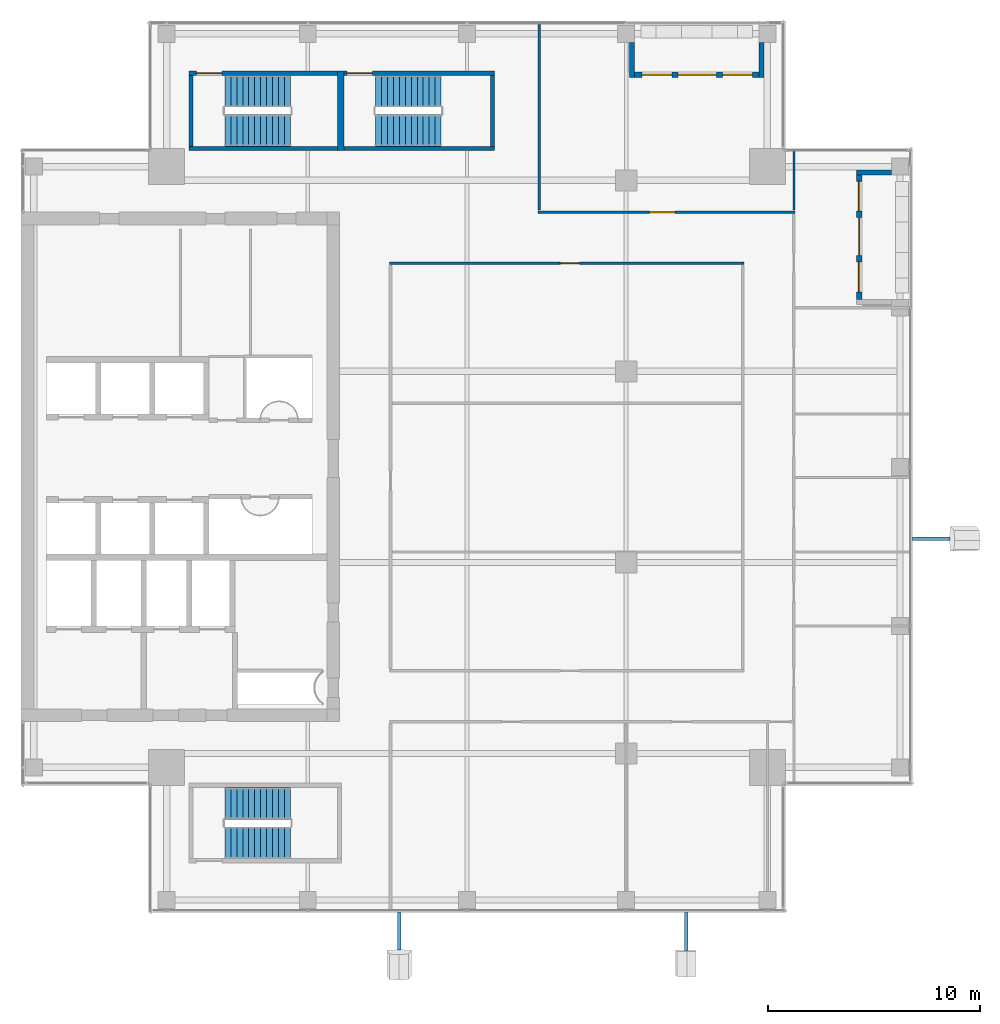
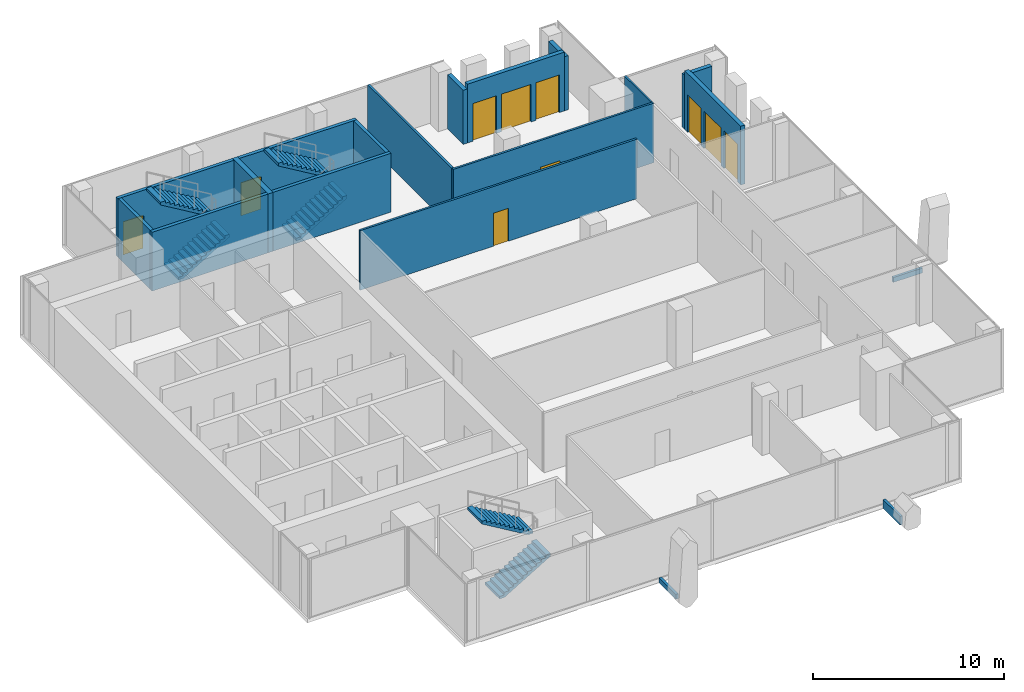
# One storey, part 25 of 28: 16 walls, 6 doors, 6 stair flights, 4 windows, 3 discrete accessories, 10 openings, 3 elements without a shape of their own.
"""IFC4 building model written with IfcOpenShell, lengths in metres."""

from ifc_helpers import new_model, si_unit, direction, frame, frame_2d, origin, origin_2d, place, context, subcontext, project, spatial, polyline, rectangle, outline, extrude, source, transform, mapped, material, layer, layer_set, type_object, element, fill, aggregate, save


model = new_model("IFC4")

# Units and contexts
model_context = context("Model", 3, precision=1e-05, world=origin(), true_north=direction((0.0, 1.0)))
body_context = subcontext(model_context, "Body", "Model", "MODEL_VIEW")
ifc_project = project(units=[si_unit("LENGTHUNIT", "METRE"), si_unit("AREAUNIT", "SQUARE_METRE"), si_unit("VOLUMEUNIT", "CUBIC_METRE"), si_unit("PLANEANGLEUNIT", "RADIAN"), si_unit("MASSUNIT", "GRAM", prefix="KILO")], contexts=[model_context])

# Site, building, storey
site_placement = place(None, origin())
site = spatial("IfcSite", under=ifc_project, at=site_placement, CompositionType="ELEMENT")
building_placement = place(site_placement, origin())
building = spatial("IfcBuilding", under=site, at=building_placement, Name="Khomas Fold Tower", CompositionType="ELEMENT")
storey_placement = place(building_placement, frame((0.0, 0.0, 298.199951171875)))
storey = spatial("IfcBuildingStorey", under=building, at=storey_placement, Name="L67", CompositionType="ELEMENT", Elevation=298.199951171875)

# Wall, opening, door
ifc_material_1 = material(Name="Concrete C50/60", Category="concrete")
ifc_layer_1 = layer(ifc_material_1, 0.199951171875)
ifc_layer_set_1 = layer_set([ifc_layer_1], Name="Concrete C50/60")
wall_type_1 = type_object("IfcWallType", Name="Stair wall 200", PredefinedType="SHEAR", material=ifc_layer_set_1)
shared_shape_1 = source(origin(), body_context, "Body", "SweptSolid", [
    extrude(rectangle(XDim=7.0, YDim=0.199951171875, at=frame_2d((3.5, 0.0))), origin(), (0.0, 0.0, 1.0), 3.75),
])
wall_1_placement = place(storey_placement, frame((13.89990234375, 45.550048828125, 0.0), z_axis=(0.0, 0.0, 1.0), x_axis=(1.0, 0.0, 0.0)))
wall_1 = element("IfcWall", 1, at=wall_1_placement, inside=storey, type_object=wall_type_1, Name="Stair wall SW-ST1-N", PredefinedType="SHEAR", context=body_context, shape_type="MappedRepresentation", body=[
    mapped(shared_shape_1, transform((0.0, 0.0, 0.0))),
])
shared_shape_2 = source(origin(), body_context, "Body", "SweptSolid", [
    extrude(rectangle(XDim=1.199951171875, YDim=2.10009765625, at=frame_2d((0.60009765625, 1.050048828125))), frame((0.0, 0.10986328125, 0.0), z_axis=(0.0, -1.0, 0.0), x_axis=(1.0, 0.0, 0.0)), (0.0, 0.0, 1.0), 0.219970703125),
])
opening_1_placement = place(wall_1_placement, frame((0.35009765625, 0.0, 0.0)))
opening_1 = element("IfcOpeningElement", 2, at=opening_1_placement, cuts=wall_1, Name="Opening SD-ST1", PredefinedType="OPENING", context=body_context, shape_type="MappedRepresentation", body=[
    mapped(shared_shape_2, transform((0.0, 0.0, 0.0))),
])
ifc_material_2 = material(Name="Steel door leaf", Category="steel")
door_type_1 = type_object("IfcDoorType", Name="Stair door 1200x2100 left-hand", OperationType="SINGLE_SWING_LEFT", PredefinedType="DOOR", material=ifc_material_2)
shared_shape_3 = source(origin(), body_context, "Body", "SweptSolid", [
    extrude(rectangle(XDim=1.199951171875, YDim=2.10009765625, at=frame_2d((0.60009765625, 1.050048828125))), frame((0.0, 0.02490234375, 0.0), z_axis=(0.0, -1.0, 0.0), x_axis=(1.0, 0.0, 0.0)), (0.0, 0.0, 1.0), 0.050048828125),
])
door_1_placement = place(opening_1_placement, origin())
door_1 = element("IfcDoor", 3, at=door_1_placement, inside=storey, type_object=door_type_1, Name="Stair door", OperationType="SINGLE_SWING_LEFT", OverallHeight=2.10009765625, OverallWidth=1.199951171875, PredefinedType="DOOR", context=body_context, shape_type="MappedRepresentation", body=[
    mapped(shared_shape_3, transform((0.0, 0.0, 0.0))),
])
fill(opening_1, door_1)

# Wall
wall_2_placement = place(storey_placement, frame((13.89990234375, 42.0, 0.0), z_axis=(0.0, 0.0, 1.0), x_axis=(1.0, 0.0, 0.0)))
element("IfcWall", 4, at=wall_2_placement, inside=storey, type_object=wall_type_1, Name="Stair wall SW-ST1-S", PredefinedType="SHEAR", context=body_context, shape_type="MappedRepresentation", body=[
    mapped(shared_shape_1, transform((0.0, 0.0, 0.0))),
])

# Wall, opening, door
shared_shape_4 = source(origin(), body_context, "Body", "SweptSolid", [
    extrude(rectangle(XDim=7.10009765625, YDim=0.199951171875, at=frame_2d((3.550048828125, 0.0))), origin(), (0.0, 0.0, 1.0), 3.75),
])
wall_3_placement = place(storey_placement, frame((21.199951171875, 45.550048828125, 0.0), z_axis=(0.0, 0.0, 1.0), x_axis=(1.0, 0.0, 0.0)))
wall_3 = element("IfcWall", 5, at=wall_3_placement, inside=storey, type_object=wall_type_1, Name="Stair wall SW-ST3-N", PredefinedType="SHEAR", context=body_context, shape_type="MappedRepresentation", body=[
    mapped(shared_shape_4, transform((0.0, 0.0, 0.0))),
])
opening_2_placement = place(wall_3_placement, frame((0.14990234375, 0.0, 0.0)))
opening_2 = element("IfcOpeningElement", 6, at=opening_2_placement, cuts=wall_3, Name="Opening SD-ST3", PredefinedType="OPENING", context=body_context, shape_type="MappedRepresentation", body=[
    mapped(shared_shape_2, transform((0.0, 0.0, 0.0))),
])
door_2_placement = place(opening_2_placement, origin())
door_2 = element("IfcDoor", 7, at=door_2_placement, inside=storey, type_object=door_type_1, Name="Stair door", OperationType="SINGLE_SWING_LEFT", OverallHeight=2.10009765625, OverallWidth=1.199951171875, PredefinedType="DOOR", context=body_context, shape_type="MappedRepresentation", body=[
    mapped(shared_shape_3, transform((0.0, 0.0, 0.0))),
])
fill(opening_2, door_2)

# Walls
wall_4_placement = place(storey_placement, frame((21.199951171875, 42.0, 0.0), z_axis=(0.0, 0.0, 1.0), x_axis=(1.0, 0.0, 0.0)))
element("IfcWall", 8, at=wall_4_placement, inside=storey, type_object=wall_type_1, Name="Stair wall SW-ST3-S", PredefinedType="SHEAR", context=body_context, shape_type="MappedRepresentation", body=[
    mapped(shared_shape_4, transform((0.0, 0.0, 0.0))),
])
ifc_material_3 = material(Name="Concrete C50/60", Category="concrete")
ifc_layer_2 = layer(ifc_material_3, 0.300048828125)
ifc_layer_set_2 = layer_set([ifc_layer_2], Name="Concrete C50/60")
wall_type_2 = type_object("IfcWallType", Name="Stair wall 300", PredefinedType="SHEAR", material=ifc_layer_set_2)
shared_shape_5 = source(origin(), body_context, "Body", "SweptSolid", [
    extrude(rectangle(XDim=3.75, YDim=0.300048828125, at=frame_2d((1.875, 0.0))), origin(), (0.0, 0.0, 1.0), 3.75),
])
wall_5_placement = place(storey_placement, frame((21.050048828125, 41.89990234375, 0.0), z_axis=(0.0, 0.0, 1.0), x_axis=(0.0, 1.0, 0.0)))
element("IfcWall", 9, at=wall_5_placement, inside=storey, type_object=wall_type_2, Name="Stair wall SW-ST1-E", PredefinedType="SHEAR", context=body_context, shape_type="MappedRepresentation", body=[
    mapped(shared_shape_5, transform((0.0, 0.0, 0.0))),
])
shared_shape_6 = source(origin(), body_context, "Body", "SweptSolid", [
    extrude(rectangle(XDim=3.349853515625, YDim=0.199951171875, at=frame_2d((1.6748046875, 0.0))), origin(), (0.0, 0.0, 1.0), 3.75),
])
for number, where, z_axis, x_axis, name in (
    (10, (14.0, 42.10009765625, 0.0), (0.0, 0.0, 1.0), (0.0, 1.0, 0.0), "Stair wall SW-ST1-W"),
    (11, (28.199951171875, 42.10009765625, 0.0), (0.0, 0.0, 1.0), (0.0, 1.0, 0.0), "Stair wall SW-ST3-E"),
):
    element("IfcWall", number, at=place(storey_placement, frame(where, z_axis=z_axis, x_axis=x_axis)), inside=storey, type_object=wall_type_1, Name=name, PredefinedType="SHEAR", context=body_context, shape_type="MappedRepresentation", body=[
        mapped(shared_shape_6, transform((0.0, 0.0, 0.0))),
    ])

# Wall, openings, door, windows
ifc_material_4 = material(Name="Natural stone", Category="masonry")
ifc_layer_3 = layer(ifc_material_4, 0.0400390625)
ifc_material_5 = material(Name="Mineral wool insulation", Category="insulation")
ifc_layer_4 = layer(ifc_material_5, 0.10009765625)
ifc_material_6 = material(Name="Masonry", Category="masonry")
ifc_layer_5 = layer(ifc_material_6, 0.110107421875)
ifc_layer_set_3 = layer_set([ifc_layer_3, ifc_layer_4, ifc_layer_5], Name="Stone-faced insulated masonry")
wall_type_3 = type_object("IfcWallType", Name="BL-Balcony wall", PredefinedType="SOLIDWALL", material=ifc_layer_set_3)
shared_shape_7 = source(origin(), body_context, "Body", "SweptSolid", [
    extrude(rectangle(XDim=5.85009765625, YDim=0.25, at=frame_2d((2.925048828125, 0.0))), origin(), (0.0, 0.0, 1.0), 3.75),
])
wall_6_placement = place(storey_placement, frame((34.89990234375, 45.47509765625, 0.0), z_axis=(0.0, 0.0, 1.0), x_axis=(1.0, 0.0, 0.0)))
wall_6 = element("IfcWall", 12, at=wall_6_placement, inside=storey, type_object=wall_type_3, Name="Balcony wall BAL-L67-N4", PredefinedType="SOLIDWALL", context=body_context, shape_type="MappedRepresentation", body=[
    mapped(shared_shape_7, transform((0.0, 0.0, 0.0))),
])
shared_shape_8 = source(origin(), body_context, "Body", "SweptSolid", [
    extrude(rectangle(XDim=1.39990234375, YDim=2.39990234375, at=frame_2d((0.699951171875, 1.199951171875))), frame((0.0, 0.135009765625, 0.0), z_axis=(0.0, -1.0, 0.0), x_axis=(1.0, 0.0, 0.0)), (0.0, 0.0, 1.0), 0.27001953125),
])
opening_3_placement = place(wall_6_placement, frame((0.35009765625, 0.0, 0.0)))
opening_3 = element("IfcOpeningElement", 13, at=opening_3_placement, cuts=wall_6, Name="Opening BL-W6", PredefinedType="OPENING", context=body_context, shape_type="MappedRepresentation", body=[
    mapped(shared_shape_8, transform((0.0, 0.0, 0.0))),
])
opening_4_placement = place(wall_6_placement, frame((4.14990234375, 0.0, 0.0)))
opening_4 = element("IfcOpeningElement", 14, at=opening_4_placement, cuts=wall_6, Name="Opening BL-W6", PredefinedType="OPENING", context=body_context, shape_type="MappedRepresentation", body=[
    mapped(shared_shape_8, transform((0.0, 0.0, 0.0))),
])
shared_shape_9 = source(origin(), body_context, "Body", "SweptSolid", [
    extrude(rectangle(XDim=1.800048828125, YDim=2.39990234375, at=frame_2d((0.89990234375, 1.199951171875))), frame((0.0, 0.135009765625, 0.0), z_axis=(0.0, -1.0, 0.0), x_axis=(1.0, 0.0, 0.0)), (0.0, 0.0, 1.0), 0.27001953125),
])
opening_5_placement = place(wall_6_placement, frame((2.050048828125, 0.0, 0.0)))
opening_5 = element("IfcOpeningElement", 15, at=opening_5_placement, cuts=wall_6, Name="Opening BD671", PredefinedType="OPENING", context=body_context, shape_type="MappedRepresentation", body=[
    mapped(shared_shape_9, transform((0.0, 0.0, 0.0))),
])
ifc_material_7 = material(Name="Aluminium framed double glazing", Category="aluminium")
door_type_2 = type_object("IfcDoorType", Name="BL-Glazed balcony door 1800 x 2400", OperationType="DOUBLE_DOOR_DOUBLE_SWING", PredefinedType="DOOR", material=ifc_material_7)
shared_shape_10 = source(origin(), body_context, "Body", "SweptSolid", [
    extrude(rectangle(XDim=1.800048828125, YDim=2.39990234375, at=frame_2d((0.89990234375, 1.199951171875))), frame((0.0, 0.02490234375, 0.0), z_axis=(0.0, -1.0, 0.0), x_axis=(1.0, 0.0, 0.0)), (0.0, 0.0, 1.0), 0.050048828125),
])
door_3_placement = place(opening_5_placement, origin())
door_3 = element("IfcDoor", 16, at=door_3_placement, inside=storey, type_object=door_type_2, Name="Balcony door BD671", OperationType="DOUBLE_DOOR_DOUBLE_SWING", OverallHeight=2.39990234375, OverallWidth=1.800048828125, PredefinedType="DOOR", context=body_context, shape_type="MappedRepresentation", body=[
    mapped(shared_shape_10, transform((0.0, 0.0, 0.0))),
])
fill(opening_5, door_3)
ifc_material_8 = material(Name="Aluminium framed double glazing", Category="aluminium")
window_type = type_object("IfcWindowType", Name="BL-Fixed glazing 1400 x 2400", PartitioningType="SINGLE_PANEL", PredefinedType="WINDOW", material=ifc_material_8)
shared_shape_11 = source(origin(), body_context, "Body", "SweptSolid", [
    extrude(rectangle(XDim=1.39990234375, YDim=2.39990234375, at=frame_2d((0.699951171875, 1.199951171875))), frame((0.0, 0.030029296875, 0.0), z_axis=(0.0, -1.0, 0.0), x_axis=(1.0, 0.0, 0.0)), (0.0, 0.0, 1.0), 0.06005859375),
])
window_1_placement = place(opening_3_placement, origin())
window_1 = element("IfcWindow", 17, at=window_1_placement, inside=storey, type_object=window_type, Name="Balcony glazing BAL-L67-N4-1", OverallHeight=2.39990234375, OverallWidth=1.39990234375, PartitioningType="SINGLE_PANEL", PredefinedType="WINDOW", context=body_context, shape_type="MappedRepresentation", body=[
    mapped(shared_shape_11, transform((0.0, 0.0, 0.0))),
])
fill(opening_3, window_1)
window_2_placement = place(opening_4_placement, origin())
window_2 = element("IfcWindow", 18, at=window_2_placement, inside=storey, type_object=window_type, Name="Balcony glazing BAL-L67-N4-2", OverallHeight=2.39990234375, OverallWidth=1.39990234375, PartitioningType="SINGLE_PANEL", PredefinedType="WINDOW", context=body_context, shape_type="MappedRepresentation", body=[
    mapped(shared_shape_11, transform((0.0, 0.0, 0.0))),
])
fill(opening_4, window_2)

wall_7_placement = place(storey_placement, frame((45.47509765625, 34.89990234375, 0.0), z_axis=(0.0, 0.0, 1.0), x_axis=(0.0, 1.0, 0.0)))
wall_7 = element("IfcWall", 19, at=wall_7_placement, inside=storey, type_object=wall_type_3, Name="Balcony wall BAL-L67-E4", PredefinedType="SOLIDWALL", context=body_context, shape_type="MappedRepresentation", body=[
    mapped(shared_shape_7, transform((0.0, 0.0, 0.0))),
])
opening_6_placement = place(wall_7_placement, frame((0.35009765625, 0.0, 0.0)))
opening_6 = element("IfcOpeningElement", 20, at=opening_6_placement, cuts=wall_7, Name="Opening BL-W6", PredefinedType="OPENING", context=body_context, shape_type="MappedRepresentation", body=[
    mapped(shared_shape_8, transform((0.0, 0.0, 0.0))),
])
opening_7_placement = place(wall_7_placement, frame((4.14990234375, 0.0, 0.0)))
opening_7 = element("IfcOpeningElement", 21, at=opening_7_placement, cuts=wall_7, Name="Opening BL-W6", PredefinedType="OPENING", context=body_context, shape_type="MappedRepresentation", body=[
    mapped(shared_shape_8, transform((0.0, 0.0, 0.0))),
])
opening_8_placement = place(wall_7_placement, frame((2.050048828125, 0.0, 0.0)))
opening_8 = element("IfcOpeningElement", 22, at=opening_8_placement, cuts=wall_7, Name="Opening BD672", PredefinedType="OPENING", context=body_context, shape_type="MappedRepresentation", body=[
    mapped(shared_shape_9, transform((0.0, 0.0, 0.0))),
])
door_4_placement = place(opening_8_placement, origin())
door_4 = element("IfcDoor", 23, at=door_4_placement, inside=storey, type_object=door_type_2, Name="Balcony door BD672", OperationType="DOUBLE_DOOR_DOUBLE_SWING", OverallHeight=2.39990234375, OverallWidth=1.800048828125, PredefinedType="DOOR", context=body_context, shape_type="MappedRepresentation", body=[
    mapped(shared_shape_10, transform((0.0, 0.0, 0.0))),
])
fill(opening_8, door_4)
window_3_placement = place(opening_6_placement, origin())
window_3 = element("IfcWindow", 24, at=window_3_placement, inside=storey, type_object=window_type, Name="Balcony glazing BAL-L67-E4-1", OverallHeight=2.39990234375, OverallWidth=1.39990234375, PartitioningType="SINGLE_PANEL", PredefinedType="WINDOW", context=body_context, shape_type="MappedRepresentation", body=[
    mapped(shared_shape_11, transform((0.0, 0.0, 0.0))),
])
fill(opening_6, window_3)
window_4_placement = place(opening_7_placement, origin())
window_4 = element("IfcWindow", 25, at=window_4_placement, inside=storey, type_object=window_type, Name="Balcony glazing BAL-L67-E4-2", OverallHeight=2.39990234375, OverallWidth=1.39990234375, PartitioningType="SINGLE_PANEL", PredefinedType="WINDOW", context=body_context, shape_type="MappedRepresentation", body=[
    mapped(shared_shape_11, transform((0.0, 0.0, 0.0))),
])
fill(opening_7, window_4)

# Walls
shared_shape_12 = source(origin(), body_context, "Body", "SweptSolid", [
    extrude(rectangle(XDim=1.64990234375, YDim=0.25, at=frame_2d((0.824951171875, 0.0))), origin(), (0.0, 0.0, 1.0), 3.449951171875),
])
for number, where, z_axis, x_axis, name in (
    (26, (34.77490234375, 47.0, 0.0), (0.0, 0.0, 1.0), (0.0, -1.0, 0.0), "Balcony return wall BAL-L67-N4-lo"),
    (27, (40.875, 47.0, 0.0), (0.0, 0.0, 1.0), (0.0, -1.0, 0.0), "Balcony return wall BAL-L67-N4-hi"),
    (28, (47.0, 40.875, 0.0), (0.0, 0.0, 1.0), (-1.0, 0.0, 0.0), "Balcony return wall BAL-L67-E4-hi"),
):
    element("IfcWall", number, at=place(storey_placement, frame(where, z_axis=z_axis, x_axis=x_axis)), inside=storey, type_object=wall_type_3, Name=name, PredefinedType="SOLIDWALL", context=body_context, shape_type="MappedRepresentation", body=[
        mapped(shared_shape_12, transform((0.0, 0.0, 0.0))),
    ])
ifc_material_9 = material(Name="Plasterboard partition")
ifc_layer_6 = layer(ifc_material_9, 0.125)
ifc_layer_set_4 = layer_set([ifc_layer_6], Name="Plasterboard partition")
wall_type_4 = type_object("IfcWallType", Name="Partition PW2 125", PredefinedType="PARTITIONING", material=ifc_layer_set_4)
shared_shape_13 = source(origin(), body_context, "Body", "SweptSolid", [
    extrude(rectangle(XDim=8.75, YDim=0.125, at=frame_2d((4.375, 0.0))), origin(), (0.0, 0.0, 1.0), 3.800048828125),
])
wall_8_placement = place(storey_placement, frame((30.39990234375, 39.10009765625, 0.0), z_axis=(0.0, 0.0, 1.0), x_axis=(0.0, 1.0, 0.0)))
element("IfcWall", 29, at=wall_8_placement, inside=storey, type_object=wall_type_4, Name="Partition", PredefinedType="PARTITIONING", context=body_context, shape_type="MappedRepresentation", body=[
    mapped(shared_shape_13, transform((0.0, 0.0, 0.0))),
])
ifc_material_10 = material(Name="Plasterboard partition")
ifc_layer_7 = layer(ifc_material_10, 0.10009765625)
ifc_layer_set_5 = layer_set([ifc_layer_7], Name="Plasterboard partition")
wall_type_5 = type_object("IfcWallType", Name="Partition PW1 100", PredefinedType="PARTITIONING", material=ifc_layer_set_5)
shared_shape_14 = source(origin(), body_context, "Body", "SweptSolid", [
    extrude(rectangle(XDim=2.75, YDim=0.10009765625, at=frame_2d((1.375, 0.0))), origin(), (0.0, 0.0, 1.0), 3.800048828125),
])
wall_9_placement = place(storey_placement, frame((42.39990234375, 39.10009765625, 0.0), z_axis=(0.0, 0.0, 1.0), x_axis=(0.0, 1.0, 0.0)))
element("IfcWall", 30, at=wall_9_placement, inside=storey, type_object=wall_type_5, Name="Partition", PredefinedType="PARTITIONING", context=body_context, shape_type="MappedRepresentation", body=[
    mapped(shared_shape_14, transform((0.0, 0.0, 0.0))),
])

# Wall, opening, door
shared_shape_15 = source(origin(), body_context, "Body", "SweptSolid", [
    extrude(rectangle(XDim=16.699951171875, YDim=0.125, at=frame_2d((8.35009765625, 0.0))), origin(), (0.0, 0.0, 1.0), 3.800048828125),
])
wall_10_placement = place(storey_placement, frame((23.35009765625, 36.60009765625, 0.0), z_axis=(0.0, 0.0, 1.0), x_axis=(1.0, 0.0, 0.0)))
wall_10 = element("IfcWall", 31, at=wall_10_placement, inside=storey, type_object=wall_type_4, Name="Partition", PredefinedType="PARTITIONING", context=body_context, shape_type="MappedRepresentation", body=[
    mapped(shared_shape_15, transform((0.0, 0.0, 0.0))),
])
shared_shape_16 = source(origin(), body_context, "Body", "SweptSolid", [
    extrude(rectangle(XDim=0.89990234375, YDim=2.10009765625, at=frame_2d((0.449951171875, 1.050048828125))), frame((0.0, 0.072509765625, 0.0), z_axis=(0.0, -1.0, 0.0), x_axis=(1.0, 0.0, 0.0)), (0.0, 0.0, 1.0), 0.14501953125),
])
opening_9_placement = place(wall_10_placement, frame((8.050048828125, 0.0, 0.0)))
opening_9 = element("IfcOpeningElement", 32, at=opening_9_placement, cuts=wall_10, Name="Opening 0008", PredefinedType="OPENING", context=body_context, shape_type="MappedRepresentation", body=[
    mapped(shared_shape_16, transform((0.0, 0.0, 0.0))),
])
ifc_material_11 = material(Name="Timber door leaf", Category="wood")
door_type_3 = type_object("IfcDoorType", Name="Door 900x2100 right-hand", OperationType="SINGLE_SWING_RIGHT", PredefinedType="DOOR", material=ifc_material_11)
shared_shape_17 = source(origin(), body_context, "Body", "SweptSolid", [
    extrude(rectangle(XDim=0.89990234375, YDim=2.10009765625, at=frame_2d((0.449951171875, 1.050048828125))), frame((0.0, 0.02490234375, 0.0), z_axis=(0.0, -1.0, 0.0), x_axis=(1.0, 0.0, 0.0)), (0.0, 0.0, 1.0), 0.050048828125),
])
door_5_placement = place(opening_9_placement, origin())
door_5 = element("IfcDoor", 33, at=door_5_placement, inside=storey, type_object=door_type_3, Name="Door", OperationType="SINGLE_SWING_RIGHT", OverallHeight=2.10009765625, OverallWidth=0.89990234375, PredefinedType="DOOR", context=body_context, shape_type="MappedRepresentation", body=[
    mapped(shared_shape_17, transform((0.0, 0.0, 0.0))),
])
fill(opening_9, door_5)

shared_shape_18 = source(origin(), body_context, "Body", "SweptSolid", [
    extrude(rectangle(XDim=12.099853515625, YDim=0.125, at=frame_2d((6.0498046875, 0.0))), origin(), (0.0, 0.0, 1.0), 3.800048828125),
])
wall_11_placement = place(storey_placement, frame((30.35009765625, 39.0, 0.0), z_axis=(0.0, 0.0, 1.0), x_axis=(1.0, 0.0, 0.0)))
wall_11 = element("IfcWall", 34, at=wall_11_placement, inside=storey, type_object=wall_type_4, Name="Partition", PredefinedType="PARTITIONING", context=body_context, shape_type="MappedRepresentation", body=[
    mapped(shared_shape_18, transform((0.0, 0.0, 0.0))),
])
shared_shape_19 = source(origin(), body_context, "Body", "SweptSolid", [
    extrude(rectangle(XDim=1.199951171875, YDim=2.10009765625, at=frame_2d((0.60009765625, 1.050048828125))), frame((0.0, 0.072509765625, 0.0), z_axis=(0.0, -1.0, 0.0), x_axis=(1.0, 0.0, 0.0)), (0.0, 0.0, 1.0), 0.14501953125),
])
opening_10_placement = place(wall_11_placement, frame((5.25, 0.0, 0.0)))
opening_10 = element("IfcOpeningElement", 35, at=opening_10_placement, cuts=wall_11, Name="Opening 0013", PredefinedType="OPENING", context=body_context, shape_type="MappedRepresentation", body=[
    mapped(shared_shape_19, transform((0.0, 0.0, 0.0))),
])
ifc_material_12 = material(Name="Timber door leaf", Category="wood")
door_type_4 = type_object("IfcDoorType", Name="Door 1200x2100 left-hand", OperationType="SINGLE_SWING_LEFT", PredefinedType="DOOR", material=ifc_material_12)
door_6_placement = place(opening_10_placement, origin())
door_6 = element("IfcDoor", 36, at=door_6_placement, inside=storey, type_object=door_type_4, Name="Door", OperationType="SINGLE_SWING_LEFT", OverallHeight=2.10009765625, OverallWidth=1.199951171875, PredefinedType="DOOR", context=body_context, shape_type="MappedRepresentation", body=[
    mapped(shared_shape_3, transform((0.0, 0.0, 0.0))),
])
fill(opening_10, door_6)

# Stair, stair flights
ifc_material_13 = material(Name="Concrete C40/50", Category="concrete")
stair_type_1 = type_object("IfcStairType", Name="Stair ST1", PredefinedType="HALF_TURN_STAIR", material=ifc_material_13)
stair_1_placement = place(storey_placement, origin())
stair_1 = element("IfcStair", 37, at=stair_1_placement, inside=storey, type_object=stair_type_1, Name="L67 ST1", PredefinedType="HALF_TURN_STAIR")
ifc_material_14 = material(Name="Concrete C40/50", Category="concrete")
stair_flight_type_1 = type_object("IfcStairFlightType", Name="Stair flight 1500 ST1", PredefinedType="STRAIGHT", material=ifc_material_14)
shared_shape_20 = source(origin(), body_context, "Body", "SweptSolid", [
    extrude(outline(polyline([(0.0, 0.0), (0.0, 0.012939453125), (0.0, 0.025634765625), (0.0, 0.03857421875), (0.0, 0.05126953125), (0.0, 0.064208984375), (0.0, 0.076904296875), (0.0, 0.08984375), (0.0, 0.1025390625), (0.0, 0.115478515625), (0.0, 0.128173828125), (0.0, 0.14111328125), (0.0, 0.15380859375), (0.0, 0.166748046875), (0.280029296875, 0.166748046875), (0.280029296875, 0.333251953125), (0.56005859375, 0.333251953125), (0.56005859375, 0.5), (0.840087890625, 0.5), (0.840087890625, 0.666748046875), (1.1201171875, 0.666748046875), (1.1201171875, 0.833251953125), (1.39990234375, 0.833251953125), (1.39990234375, 1.0), (1.679931640625, 1.0), (1.679931640625, 1.166748046875), (1.9599609375, 1.166748046875), (1.9599609375, 1.333251953125), (2.239990234375, 1.333251953125), (2.239990234375, 1.5), (2.52001953125, 1.5), (2.52001953125, 1.666748046875), (2.800048828125, 1.666748046875), (2.800048828125, 1.833251953125), (3.080078125, 1.833251953125), (3.080078125, 2.0), (3.080078125, 1.973876953125), (3.080078125, 1.947509765625), (3.080078125, 1.92138671875), (3.080078125, 1.89501953125), (3.080078125, 1.868896484375), (3.080078125, 1.842529296875), (3.080078125, 1.81640625), (3.080078125, 1.7900390625), (3.080078125, 1.763916015625), (3.080078125, 1.737548828125), (3.080078125, 1.71142578125), (3.080078125, 1.68505859375), (3.080078125, 1.658935546875), (0.29296875, 0.0), (0.0, 0.0)])), frame((0.0, 0.75, 0.0), z_axis=(0.0, -1.0, 0.0), x_axis=(1.0, 0.0, 0.0)), (0.0, 0.0, 1.0), 1.5),
])
stair_flight_1_placement = place(storey_placement, frame((15.60009765625, 42.85009765625, 0.0), z_axis=(0.0, 0.0, 1.0), x_axis=(1.0, 0.0, 0.0)))
stair_flight_1 = element("IfcStairFlight", 38, at=stair_flight_1_placement, type_object=stair_flight_type_1, Name="ST1 flight 1", NumberOfRisers=12, NumberOfTreads=11, PredefinedType="STRAIGHT", RiserHeight=0.166666667, TreadLength=0.28, context=body_context, shape_type="MappedRepresentation", body=[
    mapped(shared_shape_20, transform((0.0, 0.0, 0.0))),
])
stair_flight_2_placement = place(storey_placement, frame((18.679931640625, 44.699951171875, 2.0), z_axis=(0.0, 0.0, 1.0), x_axis=(-1.0, 0.0, 0.0)))
stair_flight_2 = element("IfcStairFlight", 39, at=stair_flight_2_placement, type_object=stair_flight_type_1, Name="ST1 flight 2", NumberOfRisers=12, NumberOfTreads=11, PredefinedType="STRAIGHT", RiserHeight=0.166666667, TreadLength=0.28, context=body_context, shape_type="MappedRepresentation", body=[
    mapped(shared_shape_20, transform((0.0, 0.0, 0.0))),
])
aggregate(stair_1, [stair_flight_1, stair_flight_2])

ifc_material_15 = material(Name="Concrete C40/50", Category="concrete")
stair_type_2 = type_object("IfcStairType", Name="Stair ST2", PredefinedType="HALF_TURN_STAIR", material=ifc_material_15)
stair_2_placement = place(storey_placement, origin())
stair_2 = element("IfcStair", 40, at=stair_2_placement, inside=storey, type_object=stair_type_2, Name="L67 ST2", PredefinedType="HALF_TURN_STAIR")
ifc_material_16 = material(Name="Concrete C40/50", Category="concrete")
stair_flight_type_2 = type_object("IfcStairFlightType", Name="Stair flight 1500 ST2", PredefinedType="STRAIGHT", material=ifc_material_16)
stair_flight_3_placement = place(storey_placement, frame((15.60009765625, 9.300048828125, 0.0), z_axis=(0.0, 0.0, 1.0), x_axis=(1.0, 0.0, 0.0)))
stair_flight_3 = element("IfcStairFlight", 41, at=stair_flight_3_placement, type_object=stair_flight_type_2, Name="ST2 flight 1", NumberOfRisers=12, NumberOfTreads=11, PredefinedType="STRAIGHT", RiserHeight=0.166666667, TreadLength=0.28, context=body_context, shape_type="MappedRepresentation", body=[
    mapped(shared_shape_20, transform((0.0, 0.0, 0.0))),
])
stair_flight_4_placement = place(storey_placement, frame((18.679931640625, 11.14990234375, 2.0), z_axis=(0.0, 0.0, 1.0), x_axis=(-1.0, 0.0, 0.0)))
stair_flight_4 = element("IfcStairFlight", 42, at=stair_flight_4_placement, type_object=stair_flight_type_2, Name="ST2 flight 2", NumberOfRisers=12, NumberOfTreads=11, PredefinedType="STRAIGHT", RiserHeight=0.166666667, TreadLength=0.28, context=body_context, shape_type="MappedRepresentation", body=[
    mapped(shared_shape_20, transform((0.0, 0.0, 0.0))),
])
aggregate(stair_2, [stair_flight_3, stair_flight_4])

ifc_material_17 = material(Name="Concrete C40/50", Category="concrete")
stair_type_3 = type_object("IfcStairType", Name="Stair ST3", PredefinedType="HALF_TURN_STAIR", material=ifc_material_17)
stair_3_placement = place(storey_placement, origin())
stair_3 = element("IfcStair", 43, at=stair_3_placement, inside=storey, type_object=stair_type_3, Name="L67 ST3", PredefinedType="HALF_TURN_STAIR")
ifc_material_18 = material(Name="Concrete C40/50", Category="concrete")
stair_flight_type_3 = type_object("IfcStairFlightType", Name="Stair flight 1500 ST3", PredefinedType="STRAIGHT", material=ifc_material_18)
stair_flight_5_placement = place(storey_placement, frame((22.699951171875, 42.85009765625, 0.0), z_axis=(0.0, 0.0, 1.0), x_axis=(1.0, 0.0, 0.0)))
stair_flight_5 = element("IfcStairFlight", 44, at=stair_flight_5_placement, type_object=stair_flight_type_3, Name="ST3 flight 1", NumberOfRisers=12, NumberOfTreads=11, PredefinedType="STRAIGHT", RiserHeight=0.166666667, TreadLength=0.28, context=body_context, shape_type="MappedRepresentation", body=[
    mapped(shared_shape_20, transform((0.0, 0.0, 0.0))),
])
stair_flight_6_placement = place(storey_placement, frame((25.780029296875, 44.699951171875, 2.0), z_axis=(0.0, 0.0, 1.0), x_axis=(-1.0, 0.0, 0.0)))
stair_flight_6 = element("IfcStairFlight", 45, at=stair_flight_6_placement, type_object=stair_flight_type_3, Name="ST3 flight 2", NumberOfRisers=12, NumberOfTreads=11, PredefinedType="STRAIGHT", RiserHeight=0.166666667, TreadLength=0.28, context=body_context, shape_type="MappedRepresentation", body=[
    mapped(shared_shape_20, transform((0.0, 0.0, 0.0))),
])
aggregate(stair_3, [stair_flight_5, stair_flight_6])

# Discrete accessories
ifc_material_19 = material(Name="Stainless steel", Category="steel")
discrete_accessory_type = type_object("IfcDiscreteAccessoryType", Name="SK-Stainless steel stone bracket", PredefinedType="BRACKET", material=ifc_material_19)
shared_shape_21 = source(origin(), body_context, "Body", "SweptSolid", [
    extrude(rectangle(XDim=1.76513671875, YDim=0.14990234375, at=origin_2d()), origin(), (0.0, 0.0, 1.0), 0.31005859375),
])
for number, where, z_axis, x_axis, name in (
    (46, (23.81298828125, 5.117431640625, -0.25), (0.0, 0.0, 1.0), (0.0, -1.0, 0.0), "Stone bracket L67 SS06-1-1"),
    (47, (48.882568359375, 23.614501953125, -0.25), (0.0, 0.0, 1.0), (1.0, 0.0, 0.0), "Stone bracket L67 ES06-1-1"),
):
    element("IfcDiscreteAccessory", number, at=place(storey_placement, frame(where, z_axis=z_axis, x_axis=x_axis)), inside=storey, type_object=discrete_accessory_type, Name=name, PredefinedType="BRACKET", context=body_context, shape_type="MappedRepresentation", body=[
        mapped(shared_shape_21, transform((0.0, 0.0, 0.0))),
    ])
shared_shape_22 = source(origin(), body_context, "Body", "SweptSolid", [
    extrude(rectangle(XDim=1.7783203125, YDim=0.14990234375, at=origin_2d()), origin(), (0.0, 0.0, 1.0), 0.56005859375),
])
discrete_accessory_placement = place(storey_placement, frame((37.327392578125, 5.11083984375, -0.25), z_axis=(0.0, 0.0, 1.0), x_axis=(0.0, -1.0, 0.0)))
element("IfcDiscreteAccessory", 48, at=discrete_accessory_placement, inside=storey, type_object=discrete_accessory_type, Name="Stone bracket L67 SS12-2-1", PredefinedType="BRACKET", context=body_context, shape_type="MappedRepresentation", body=[
    mapped(shared_shape_22, transform((0.0, 0.0, 0.0))),
])

save(model, "model.ifc")
